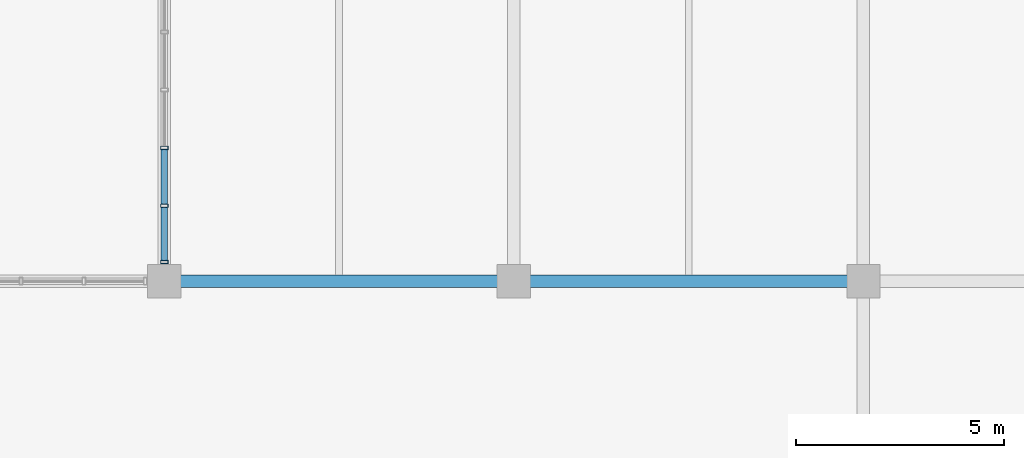
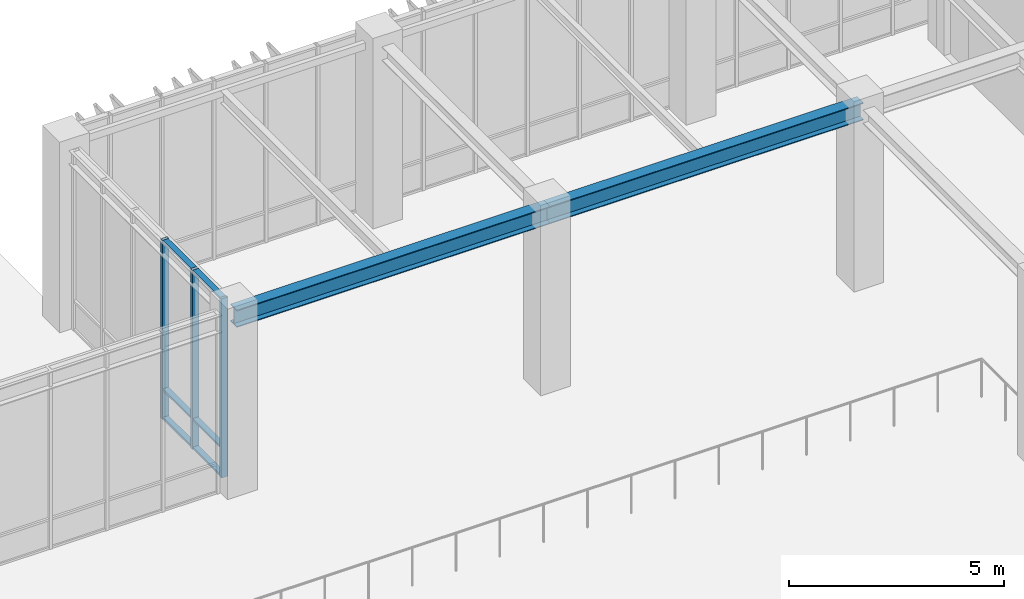
# One storey, part 52 of 139: 9 members, 2 beams, 1 element without a shape of its own.
"""IFC4 building model written with IfcOpenShell, lengths in metres."""

from ifc_helpers import new_model, si_unit, direction, frame, origin, origin_2d, place, context, subcontext, project, spatial, hollow_rectangle, i_section, extrude, material, layer, layer_set, material_profile, profile_set, type_object, element, aggregate, save


model = new_model("IFC4")

# Units and contexts
model_context = context("Model", 3, precision=1e-05, world=origin(), true_north=direction((0.0, 1.0)))
body_context = subcontext(model_context, "Body", "Model", "MODEL_VIEW")
ifc_project = project(units=[si_unit("LENGTHUNIT", "METRE"), si_unit("AREAUNIT", "SQUARE_METRE"), si_unit("VOLUMEUNIT", "CUBIC_METRE"), si_unit("PLANEANGLEUNIT", "RADIAN"), si_unit("MASSUNIT", "GRAM", prefix="KILO")], contexts=[model_context])

# Site, building, storey
site_placement = place(None, origin())
site = spatial("IfcSite", under=ifc_project, at=site_placement, CompositionType="ELEMENT")
building_placement = place(site_placement, origin())
building = spatial("IfcBuilding", under=site, at=building_placement, Name="Zayran Congress Hotel", CompositionType="ELEMENT")
storey_placement = place(building_placement, frame((0.0, 0.0, 5.39990234375)))
storey = spatial("IfcBuildingStorey", under=building, at=storey_placement, Name="L01", CompositionType="ELEMENT", Elevation=5.39990234375)

# Beams
ifc_material_1 = material(Name="Steel S355", Category="steel")
ifc_material_profile_1 = material_profile(ifc_material_1, i_section(OverallWidth=0.300048828125, OverallDepth=0.489990234375, WebThickness=0.011962890625, FlangeThickness=0.02294921875, at=origin_2d()), Name="HEA 500")
ifc_profile_set_1 = profile_set([ifc_material_profile_1], Name="Steel S355")
beam_type = type_object("IfcBeamType", Name="TP-BM-05", PredefinedType="BEAM", material=ifc_profile_set_1)
beam_1_placement = place(storey_placement, frame((58.800048828125, 109.60009765625, 4.835205078125), z_axis=(1.0, 0.0, 0.0), x_axis=(0.0, 1.0, 0.0)))
element("IfcBeam", 1, at=beam_1_placement, inside=storey, type_object=beam_type, Name="BM-V1-L01-0557", PredefinedType="BEAM", context=body_context, shape_type="SweptSolid", body=[
    extrude(i_section(OverallWidth=0.300048828125, OverallDepth=0.489990234375, WebThickness=0.011962890625, FlangeThickness=0.02294921875, at=origin_2d()), origin(), (0.0, 0.0, 1.0), 8.39990234375),
])
beam_2_placement = place(storey_placement, frame((67.199951171875, 109.60009765625, 4.835205078125), z_axis=(1.0, 0.0, 0.0), x_axis=(0.0, 1.0, 0.0)))
element("IfcBeam", 2, at=beam_2_placement, inside=storey, type_object=beam_type, Name="BM-V1-L01-0558", PredefinedType="BEAM", context=body_context, shape_type="SweptSolid", body=[
    extrude(i_section(OverallWidth=0.300048828125, OverallDepth=0.489990234375, WebThickness=0.011962890625, FlangeThickness=0.02294921875, at=origin_2d()), origin(), (0.0, 0.0, 1.0), 8.400146484375),
])

# Curtain wall, members
ifc_material_2 = material(Name="Anodised aluminium and low-E insulated glass", Category="aluminium")
ifc_layer = layer(ifc_material_2, 0.179931640625)
ifc_layer_set = layer_set([ifc_layer], Name="Anodised aluminium and low-E insulated glass")
curtain_wall_type = type_object("IfcCurtainWallType", Name="CW-V1NE-L01-CW-25-6960-5080", PredefinedType="USERDEFINED", material=ifc_layer_set)
curtain_wall_placement = place(storey_placement, origin())
curtain_wall = element("IfcCurtainWall", 3, at=curtain_wall_placement, inside=storey, type_object=curtain_wall_type, Name="CW-V1NE-L01", ObjectType="CURTAIN WALL", PredefinedType="USERDEFINED")
ifc_material_3 = material(Name="Anodised aluminium framing", Category="aluminium")
ifc_material_profile_2 = material_profile(ifc_material_3, hollow_rectangle(XDim=0.080078125, YDim=0.179931640625, WallThickness=0.0048828125, at=origin_2d()), Name="RHS 180x80x5")
ifc_profile_set_2 = profile_set([ifc_material_profile_2], Name="Anodised aluminium framing")
member_type_1 = type_object("IfcMemberType", Name="TP-CWM-01", PredefinedType="MULLION", material=ifc_profile_set_2)
member_1_placement = place(storey_placement, frame((58.800048828125, 112.803955078125, 0.0), z_axis=(0.0, 0.0, 1.0), x_axis=(0.0, 1.0, 0.0)))
member_1 = element("IfcMember", 4, at=member_1_placement, type_object=member_type_1, Name="CW-V1NE-L01-M03", PredefinedType="MULLION", context=body_context, shape_type="SweptSolid", body=[
    extrude(hollow_rectangle(XDim=0.080078125, YDim=0.179931640625, WallThickness=0.0048828125, at=origin_2d()), origin(), (0.0, 0.0, 1.0), 5.080078125),
])
member_2_placement = place(storey_placement, frame((58.800048828125, 111.412109375, 0.0), z_axis=(0.0, 0.0, 1.0), x_axis=(0.0, 1.0, 0.0)))
member_2 = element("IfcMember", 5, at=member_2_placement, type_object=member_type_1, Name="CW-V1NE-L01-M04", PredefinedType="MULLION", context=body_context, shape_type="SweptSolid", body=[
    extrude(hollow_rectangle(XDim=0.080078125, YDim=0.179931640625, WallThickness=0.0048828125, at=origin_2d()), origin(), (0.0, 0.0, 1.0), 5.080078125),
])
member_3_placement = place(storey_placement, frame((58.800048828125, 110.06005859375, 0.0), z_axis=(0.0, 0.0, 1.0), x_axis=(0.0, 1.0, 0.0)))
member_3 = element("IfcMember", 6, at=member_3_placement, type_object=member_type_1, Name="CW-V1NE-L01-M05", PredefinedType="MULLION", context=body_context, shape_type="SweptSolid", body=[
    extrude(hollow_rectangle(XDim=0.080078125, YDim=0.179931640625, WallThickness=0.0048828125, at=origin_2d()), origin(), (0.0, 0.0, 1.0), 5.080078125),
])
ifc_material_profile_3 = material_profile(ifc_material_3, hollow_rectangle(XDim=0.06005859375, YDim=0.14990234375, WallThickness=0.00390625, at=origin_2d()), Name="RHS 150x60x4")
ifc_profile_set_3 = profile_set([ifc_material_profile_3], Name="Anodised aluminium framing")
member_type_2 = type_object("IfcMemberType", Name="TP-CWT-01", PredefinedType="USERDEFINED", material=ifc_profile_set_3)
member_4_placement = place(storey_placement, frame((58.800048828125, 112.763916015625, 0.030029296875), z_axis=(0.0, -1.0, 0.0), x_axis=(0.0, 0.0, 1.0)))
member_4 = element("IfcMember", 7, at=member_4_placement, type_object=member_type_2, Name="CW-V1NE-L01-T03-0", ObjectType="TRANSOM", PredefinedType="USERDEFINED", context=body_context, shape_type="SweptSolid", body=[
    extrude(hollow_rectangle(XDim=0.06005859375, YDim=0.14990234375, WallThickness=0.00390625, at=origin_2d()), origin(), (0.0, 0.0, 1.0), 1.31201171875),
])
member_5_placement = place(storey_placement, frame((58.800048828125, 112.763916015625, 0.840087890625), z_axis=(0.0, -1.0, 0.0), x_axis=(0.0, 0.0, 1.0)))
member_5 = element("IfcMember", 8, at=member_5_placement, type_object=member_type_2, Name="CW-V1NE-L01-T03-1", ObjectType="TRANSOM", PredefinedType="USERDEFINED", context=body_context, shape_type="SweptSolid", body=[
    extrude(hollow_rectangle(XDim=0.06005859375, YDim=0.14990234375, WallThickness=0.00390625, at=origin_2d()), origin(), (0.0, 0.0, 1.0), 1.31201171875),
])
member_6_placement = place(storey_placement, frame((58.800048828125, 112.763916015625, 5.050048828125), z_axis=(0.0, -1.0, 0.0), x_axis=(0.0, 0.0, 1.0)))
member_6 = element("IfcMember", 9, at=member_6_placement, type_object=member_type_2, Name="CW-V1NE-L01-T03-2", ObjectType="TRANSOM", PredefinedType="USERDEFINED", context=body_context, shape_type="SweptSolid", body=[
    extrude(hollow_rectangle(XDim=0.06005859375, YDim=0.14990234375, WallThickness=0.00390625, at=origin_2d()), origin(), (0.0, 0.0, 1.0), 1.31201171875),
])
member_7_placement = place(storey_placement, frame((58.800048828125, 111.3720703125, 0.030029296875), z_axis=(0.0, -1.0, 0.0), x_axis=(0.0, 0.0, 1.0)))
member_7 = element("IfcMember", 10, at=member_7_placement, type_object=member_type_2, Name="CW-V1NE-L01-T04-0", ObjectType="TRANSOM", PredefinedType="USERDEFINED", context=body_context, shape_type="SweptSolid", body=[
    extrude(hollow_rectangle(XDim=0.06005859375, YDim=0.14990234375, WallThickness=0.00390625, at=origin_2d()), origin(), (0.0, 0.0, 1.0), 1.27197265625),
])
member_8_placement = place(storey_placement, frame((58.800048828125, 111.3720703125, 0.840087890625), z_axis=(0.0, -1.0, 0.0), x_axis=(0.0, 0.0, 1.0)))
member_8 = element("IfcMember", 11, at=member_8_placement, type_object=member_type_2, Name="CW-V1NE-L01-T04-1", ObjectType="TRANSOM", PredefinedType="USERDEFINED", context=body_context, shape_type="SweptSolid", body=[
    extrude(hollow_rectangle(XDim=0.06005859375, YDim=0.14990234375, WallThickness=0.00390625, at=origin_2d()), origin(), (0.0, 0.0, 1.0), 1.27197265625),
])
member_9_placement = place(storey_placement, frame((58.800048828125, 111.3720703125, 5.050048828125), z_axis=(0.0, -1.0, 0.0), x_axis=(0.0, 0.0, 1.0)))
member_9 = element("IfcMember", 12, at=member_9_placement, type_object=member_type_2, Name="CW-V1NE-L01-T04-2", ObjectType="TRANSOM", PredefinedType="USERDEFINED", context=body_context, shape_type="SweptSolid", body=[
    extrude(hollow_rectangle(XDim=0.06005859375, YDim=0.14990234375, WallThickness=0.00390625, at=origin_2d()), origin(), (0.0, 0.0, 1.0), 1.27197265625),
])
aggregate(curtain_wall, [member_1, member_2, member_3, member_4, member_5, member_6, member_7, member_8, member_9])

save(model, "model.ifc")
